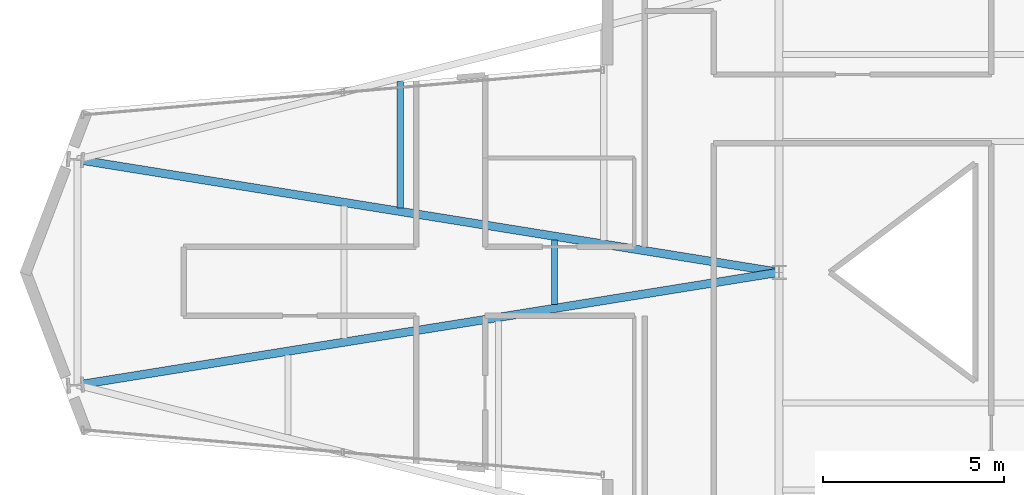
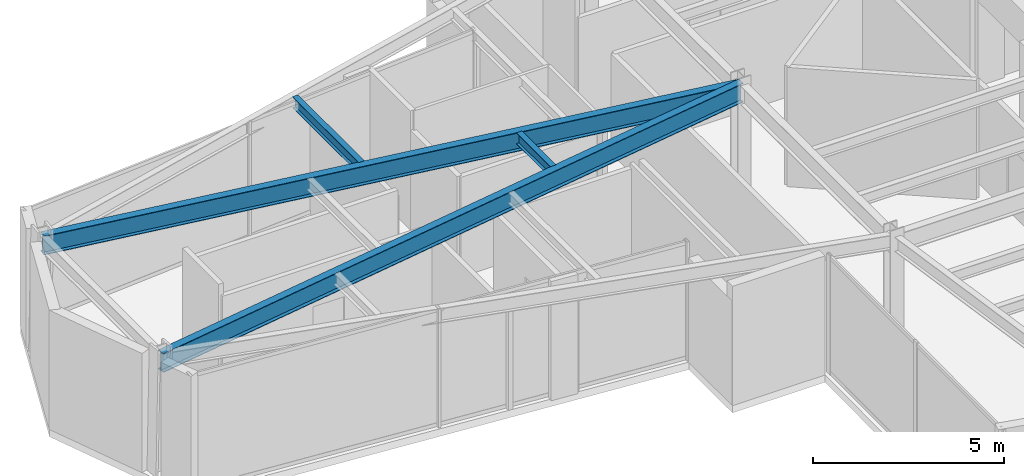
# One storey, part 8 of 23: 4 beams.
"""IFC4 building model written with IfcOpenShell, lengths in metres."""

from ifc_helpers import new_model, si_unit, direction, frame, origin, origin_2d, place, context, subcontext, project, spatial, i_section, extrude, material, material_profile, profile_set, type_object, element, save


model = new_model("IFC4")

# Units and contexts
model_context = context("Model", 3, precision=1e-05, world=origin(), true_north=direction((0.0, 1.0)))
body_context = subcontext(model_context, "Body", "Model", "MODEL_VIEW")
ifc_project = project(units=[si_unit("LENGTHUNIT", "METRE"), si_unit("AREAUNIT", "SQUARE_METRE"), si_unit("VOLUMEUNIT", "CUBIC_METRE"), si_unit("PLANEANGLEUNIT", "RADIAN"), si_unit("MASSUNIT", "GRAM", prefix="KILO")], contexts=[model_context])

# Site, building, storey
site_placement = place(None, origin())
site = spatial("IfcSite", under=ifc_project, at=site_placement, CompositionType="ELEMENT")
building_placement = place(site_placement, origin())
building = spatial("IfcBuilding", under=site, at=building_placement, Name="Veymaron Broadcast Tower", CompositionType="ELEMENT")
storey_placement = place(building_placement, frame((0.0, 0.0, 161.39990234375)))
storey = spatial("IfcBuildingStorey", under=building, at=storey_placement, Name="L37", CompositionType="ELEMENT", Elevation=161.39990234375)

# Beams
ifc_material = material(Name="Structural steel ASTM A992 Gr 50", Category="steel")
ifc_material_profile_1 = material_profile(ifc_material, i_section(OverallWidth=0.22802734375, OverallDepth=0.60791015625, WebThickness=0.01123046875, FlangeThickness=0.017333984375, at=origin_2d()), Name="W610X113")
ifc_profile_set_1 = profile_set([ifc_material_profile_1], Name="Structural steel ASTM A992 Gr 50")
beam_type_1 = type_object("IfcBeamType", Name="BM-FG2", PredefinedType="BEAM", material=ifc_profile_set_1)
for number, where, z_axis, x_axis, name in (
    (1, (11.87109375, 20.89501953125, 3.506103515625), (0.987341917037, 0.158606238406, 0.0), (-0.158606238406, 0.987341917037, 0.0), "L37 primary structural floor girder"),
    (2, (11.87109375, 27.10498046875, 3.506103515625), (0.987341917037, -0.158606238406, 0.0), (0.158606238406, 0.987341917037, 0.0), "L37 primary structural floor girder"),
):
    element("IfcBeam", number, at=place(storey_placement, frame(where, z_axis=z_axis, x_axis=x_axis)), inside=storey, type_object=beam_type_1, Name=name, PredefinedType="BEAM", context=body_context, shape_type="SweptSolid", body=[
        extrude(i_section(OverallWidth=0.22802734375, OverallDepth=0.60791015625, WebThickness=0.01123046875, FlangeThickness=0.017333984375, at=origin_2d()), origin(), (0.0, 0.0, 1.0), 19.57666015625),
    ])
ifc_material_profile_2 = material_profile(ifc_material, i_section(OverallWidth=0.1708984375, OverallDepth=0.35498046875, WebThickness=0.007080078125, FlangeThickness=0.01171875, at=origin_2d()), Name="W360X51")
ifc_profile_set_2 = profile_set([ifc_material_profile_2], Name="Structural steel ASTM A992 Gr 50")
beam_type_2 = type_object("IfcBeamType", Name="BM-JS2", PredefinedType="JOIST", material=ifc_profile_set_2)
beam_1_placement = place(storey_placement, frame((20.76220703125, 25.776611328125, 3.632568359375), z_axis=(0.0, 1.0, 0.0), x_axis=(-1.0, 0.0, 0.0)))
element("IfcBeam", 3, at=beam_1_placement, inside=storey, type_object=beam_type_2, Name="L37 Arm-A secondary joist 1N", PredefinedType="JOIST", context=body_context, shape_type="SweptSolid", body=[
    extrude(i_section(OverallWidth=0.1708984375, OverallDepth=0.35498046875, WebThickness=0.007080078125, FlangeThickness=0.01171875, at=origin_2d()), origin(), (0.0, 0.0, 1.0), 3.47998046875),
])
beam_2_placement = place(storey_placement, frame((25.0146484375, 23.1064453125, 3.632568359375), z_axis=(0.0, 1.0, 0.0), x_axis=(-1.0, 0.0, 0.0)))
element("IfcBeam", 4, at=beam_2_placement, inside=storey, type_object=beam_type_2, Name="L37 Arm-A secondary joist 2M", PredefinedType="JOIST", context=body_context, shape_type="SweptSolid", body=[
    extrude(i_section(OverallWidth=0.1708984375, OverallDepth=0.35498046875, WebThickness=0.007080078125, FlangeThickness=0.01171875, at=origin_2d()), origin(), (0.0, 0.0, 1.0), 1.787109375),
])

save(model, "model.ifc")
